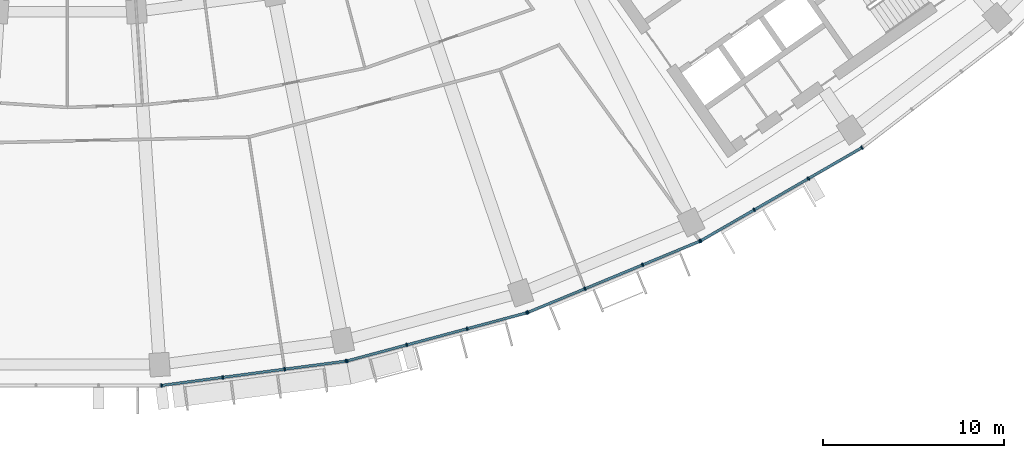
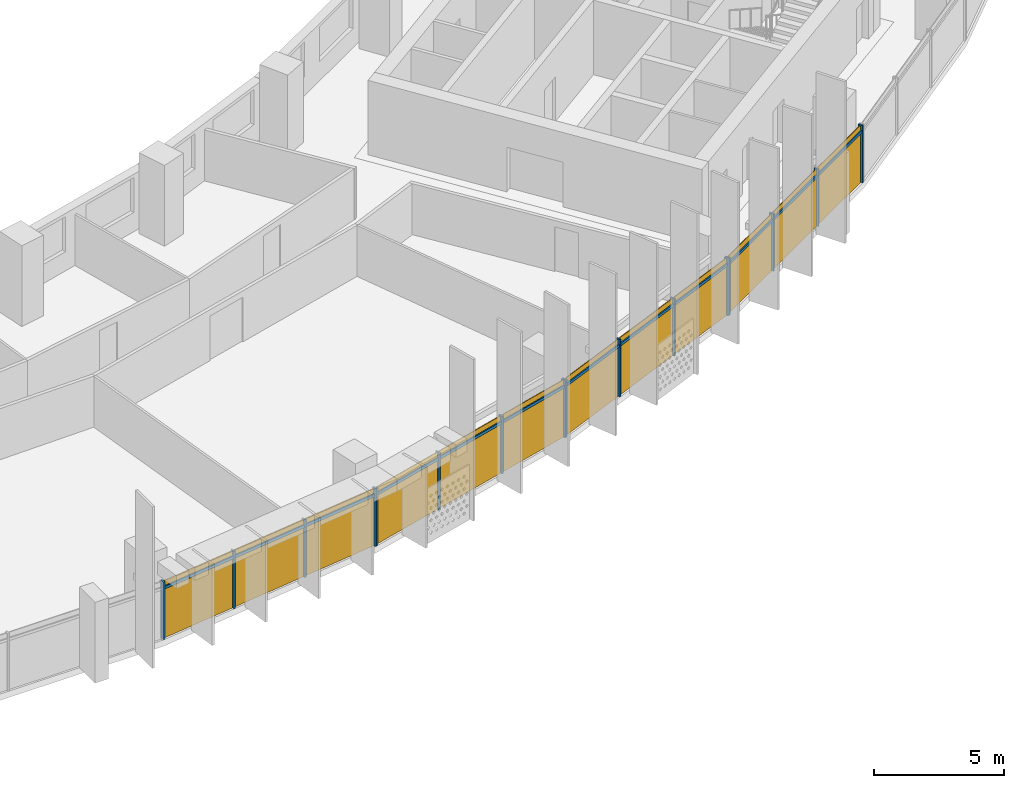
# One storey, part 21 of 27: 28 members, 4 curtain walls.
"""IFC4 building model written with IfcOpenShell, lengths in metres."""

from ifc_helpers import new_model, si_unit, direction, frame, origin, origin_2d, place, context, subcontext, project, spatial, rectangle, extrude, material, material_profile, profile_set, type_object, element, aggregate, save


model = new_model("IFC4")

# Units and contexts
model_context = context("Model", 3, precision=1e-05, world=origin(), true_north=direction((0.0, 1.0)))
body_context = subcontext(model_context, "Body", "Model", "MODEL_VIEW")
ifc_project = project(units=[si_unit("LENGTHUNIT", "METRE"), si_unit("AREAUNIT", "SQUARE_METRE"), si_unit("VOLUMEUNIT", "CUBIC_METRE"), si_unit("PLANEANGLEUNIT", "RADIAN"), si_unit("MASSUNIT", "GRAM", prefix="KILO")], contexts=[model_context])

# Member
ifc_material = material(Name="Aluminium 6063-T6 anodised", Category="aluminium")
ifc_material_profile_1 = material_profile(ifc_material, rectangle(XDim=0.199951171875, YDim=0.070068359375, at=origin_2d()))
ifc_profile_set_1 = profile_set([ifc_material_profile_1], Name="Aluminium 6063-T6 anodised")
member_type_1 = type_object("IfcMemberType", Name="Mullion 70 x 200 aluminium", PredefinedType="MULLION", material=ifc_profile_set_1)
site_placement = place(None, origin())
building_placement = place(site_placement, origin())
storey_placement = place(building_placement, frame((0.0, 0.0, 179.699951171875)))
member_1_placement = place(storey_placement, frame((5.1884765625, -78.72705078125, 0.0), z_axis=(0.0, 0.0, 1.0), x_axis=(-0.13052619222, 0.991444861374, 0.0)))
member_1 = element("IfcMember", 1, at=member_1_placement, type_object=member_type_1, Name="e-cw1-L42-out08/M00", PredefinedType="MULLION", context=body_context, shape_type="SweptSolid", body=[
    extrude(rectangle(XDim=0.199951171875, YDim=0.070068359375, at=origin_2d()), origin(), (0.0, 0.0, 1.0), 2.699951171875),
])

member_2_placement = place(storey_placement, frame((8.56884765625, -78.2822265625, 0.0), z_axis=(0.0, 0.0, 1.0), x_axis=(-0.13052619222, 0.991444861374, 0.0)))
member_2 = element("IfcMember", 2, at=member_2_placement, type_object=member_type_1, Name="e-cw1-L42-out08/M01", PredefinedType="MULLION", context=body_context, shape_type="SweptSolid", body=[
    extrude(rectangle(XDim=0.199951171875, YDim=0.070068359375, at=origin_2d()), origin(), (0.0, 0.0, 1.0), 2.699951171875),
])

member_3_placement = place(storey_placement, frame((11.98388671875, -77.83251953125, 0.0), z_axis=(0.0, 0.0, 1.0), x_axis=(-0.13052619222, 0.991444861374, 0.0)))
member_3 = element("IfcMember", 3, at=member_3_placement, type_object=member_type_1, Name="e-cw1-L42-out08/M02", PredefinedType="MULLION", context=body_context, shape_type="SweptSolid", body=[
    extrude(rectangle(XDim=0.199951171875, YDim=0.070068359375, at=origin_2d()), origin(), (0.0, 0.0, 1.0), 2.699951171875),
])

member_4_placement = place(storey_placement, frame((15.364501953125, -77.387451171875, 0.0), z_axis=(0.0, 0.0, 1.0), x_axis=(-0.13052619222, 0.991444861374, 0.0)))
member_4 = element("IfcMember", 4, at=member_4_placement, type_object=member_type_1, Name="e-cw1-L42-out08/M03", PredefinedType="MULLION", context=body_context, shape_type="SweptSolid", body=[
    extrude(rectangle(XDim=0.199951171875, YDim=0.070068359375, at=origin_2d()), origin(), (0.0, 0.0, 1.0), 2.699951171875),
])

member_5_placement = place(storey_placement, frame((15.420166015625, -77.37646484375, 0.0), z_axis=(0.0, 0.0, 1.0), x_axis=(-0.258819045103, 0.965925826289, 0.0)))
member_5 = element("IfcMember", 5, at=member_5_placement, type_object=member_type_1, Name="e-cw1-L42-out09/M00", PredefinedType="MULLION", context=body_context, shape_type="SweptSolid", body=[
    extrude(rectangle(XDim=0.199951171875, YDim=0.070068359375, at=origin_2d()), origin(), (0.0, 0.0, 1.0), 2.699951171875),
])

member_6_placement = place(storey_placement, frame((18.71337890625, -76.493896484375, 0.0), z_axis=(0.0, 0.0, 1.0), x_axis=(-0.258819045103, 0.965925826289, 0.0)))
member_6 = element("IfcMember", 6, at=member_6_placement, type_object=member_type_1, Name="e-cw1-L42-out09/M01", PredefinedType="MULLION", context=body_context, shape_type="SweptSolid", body=[
    extrude(rectangle(XDim=0.199951171875, YDim=0.070068359375, at=origin_2d()), origin(), (0.0, 0.0, 1.0), 2.699951171875),
])

member_7_placement = place(storey_placement, frame((22.04052734375, -75.602294921875, 0.0), z_axis=(0.0, 0.0, 1.0), x_axis=(-0.258819045103, 0.965925826289, 0.0)))
member_7 = element("IfcMember", 7, at=member_7_placement, type_object=member_type_1, Name="e-cw1-L42-out09/M02", PredefinedType="MULLION", context=body_context, shape_type="SweptSolid", body=[
    extrude(rectangle(XDim=0.199951171875, YDim=0.070068359375, at=origin_2d()), origin(), (0.0, 0.0, 1.0), 2.699951171875),
])

member_8_placement = place(storey_placement, frame((25.333984375, -74.719970703125, 0.0), z_axis=(0.0, 0.0, 1.0), x_axis=(-0.258819045103, 0.965925826289, 0.0)))
member_8 = element("IfcMember", 8, at=member_8_placement, type_object=member_type_1, Name="e-cw1-L42-out09/M03", PredefinedType="MULLION", context=body_context, shape_type="SweptSolid", body=[
    extrude(rectangle(XDim=0.199951171875, YDim=0.070068359375, at=origin_2d()), origin(), (0.0, 0.0, 1.0), 2.699951171875),
])

member_9_placement = place(storey_placement, frame((25.3876953125, -74.70166015625, 0.0), z_axis=(0.0, 0.0, 1.0), x_axis=(-0.382683432365, 0.923879532511, 0.0)))
member_9 = element("IfcMember", 9, at=member_9_placement, type_object=member_type_1, Name="e-cw1-L42-out10/M00", PredefinedType="MULLION", context=body_context, shape_type="SweptSolid", body=[
    extrude(rectangle(XDim=0.199951171875, YDim=0.070068359375, at=origin_2d()), origin(), (0.0, 0.0, 1.0), 2.699951171875),
])

member_10_placement = place(storey_placement, frame((28.537841796875, -73.39697265625, 0.0), z_axis=(0.0, 0.0, 1.0), x_axis=(-0.382683432365, 0.923879532511, 0.0)))
member_10 = element("IfcMember", 10, at=member_10_placement, type_object=member_type_1, Name="e-cw1-L42-out10/M01", PredefinedType="MULLION", context=body_context, shape_type="SweptSolid", body=[
    extrude(rectangle(XDim=0.199951171875, YDim=0.070068359375, at=origin_2d()), origin(), (0.0, 0.0, 1.0), 2.699951171875),
])

member_11_placement = place(storey_placement, frame((31.72021484375, -72.078857421875, 0.0), z_axis=(0.0, 0.0, 1.0), x_axis=(-0.382683432365, 0.923879532511, 0.0)))
member_11 = element("IfcMember", 11, at=member_11_placement, type_object=member_type_1, Name="e-cw1-L42-out10/M02", PredefinedType="MULLION", context=body_context, shape_type="SweptSolid", body=[
    extrude(rectangle(XDim=0.199951171875, YDim=0.070068359375, at=origin_2d()), origin(), (0.0, 0.0, 1.0), 2.699951171875),
])

member_12_placement = place(storey_placement, frame((34.8701171875, -70.77392578125, 0.0), z_axis=(0.0, 0.0, 1.0), x_axis=(-0.382683432365, 0.923879532511, 0.0)))
member_12 = element("IfcMember", 12, at=member_12_placement, type_object=member_type_1, Name="e-cw1-L42-out10/M03", PredefinedType="MULLION", context=body_context, shape_type="SweptSolid", body=[
    extrude(rectangle(XDim=0.199951171875, YDim=0.070068359375, at=origin_2d()), origin(), (0.0, 0.0, 1.0), 2.699951171875),
])

member_13_placement = place(storey_placement, frame((34.921142578125, -70.748779296875, 0.0), z_axis=(0.0, 0.0, 1.0), x_axis=(-0.5, 0.866025403784, 0.0)))
member_13 = element("IfcMember", 13, at=member_13_placement, type_object=member_type_1, Name="e-cw1-L42-out11/M00", PredefinedType="MULLION", context=body_context, shape_type="SweptSolid", body=[
    extrude(rectangle(XDim=0.199951171875, YDim=0.070068359375, at=origin_2d()), origin(), (0.0, 0.0, 1.0), 2.699951171875),
])

member_14_placement = place(storey_placement, frame((37.873779296875, -69.0439453125, 0.0), z_axis=(0.0, 0.0, 1.0), x_axis=(-0.5, 0.866025403784, 0.0)))
member_14 = element("IfcMember", 14, at=member_14_placement, type_object=member_type_1, Name="e-cw1-L42-out11/M01", PredefinedType="MULLION", context=body_context, shape_type="SweptSolid", body=[
    extrude(rectangle(XDim=0.199951171875, YDim=0.070068359375, at=origin_2d()), origin(), (0.0, 0.0, 1.0), 2.699951171875),
])

member_15_placement = place(storey_placement, frame((40.85693359375, -67.32177734375, 0.0), z_axis=(0.0, 0.0, 1.0), x_axis=(-0.5, 0.866025403784, 0.0)))
member_15 = element("IfcMember", 15, at=member_15_placement, type_object=member_type_1, Name="e-cw1-L42-out11/M02", PredefinedType="MULLION", context=body_context, shape_type="SweptSolid", body=[
    extrude(rectangle(XDim=0.199951171875, YDim=0.070068359375, at=origin_2d()), origin(), (0.0, 0.0, 1.0), 2.699951171875),
])

member_16_placement = place(storey_placement, frame((43.809814453125, -65.616943359375, 0.0), z_axis=(0.0, 0.0, 1.0), x_axis=(-0.5, 0.866025403784, 0.0)))
member_16 = element("IfcMember", 16, at=member_16_placement, type_object=member_type_1, Name="e-cw1-L42-out11/M03", PredefinedType="MULLION", context=body_context, shape_type="SweptSolid", body=[
    extrude(rectangle(XDim=0.199951171875, YDim=0.070068359375, at=origin_2d()), origin(), (0.0, 0.0, 1.0), 2.699951171875),
])

ifc_material_profile_2 = material_profile(ifc_material, rectangle(XDim=0.139892578125, YDim=0.1201171875, at=origin_2d()))
ifc_profile_set_2 = profile_set([ifc_material_profile_2], Name="Aluminium 6063-T6 anodised")
member_type_2 = type_object("IfcMemberType", Name="Transom 120 x 140 aluminium", PredefinedType="USERDEFINED", material=ifc_profile_set_2)
member_17_placement = place(storey_placement, frame((5.22314453125, -78.72265625, 2.400146484375), z_axis=(0.991439857731, 0.130564193033, 0.0), x_axis=(-0.130564193033, 0.991439857731, 0.0)))
member_17 = element("IfcMember", 17, at=member_17_placement, type_object=member_type_2, Name="e-cw1-L42-out08/T00", ObjectType="TRANSOM", PredefinedType="USERDEFINED", context=body_context, shape_type="SweptSolid", body=[
    extrude(rectangle(XDim=0.139892578125, YDim=0.1201171875, at=origin_2d()), origin(), (0.0, 0.0, 1.0), 3.339599609375),
])

member_18_placement = place(storey_placement, frame((8.603515625, -78.277587890625, 2.400146484375), z_axis=(0.991446413845, 0.130514399487, 0.0), x_axis=(-0.130514399487, 0.991446413845, 0.0)))
member_18 = element("IfcMember", 18, at=member_18_placement, type_object=member_type_2, Name="e-cw1-L42-out08/T01", ObjectType="TRANSOM", PredefinedType="USERDEFINED", context=body_context, shape_type="SweptSolid", body=[
    extrude(rectangle(XDim=0.139892578125, YDim=0.1201171875, at=origin_2d()), origin(), (0.0, 0.0, 1.0), 3.37451171875),
])

member_19_placement = place(storey_placement, frame((12.018798828125, -77.827880859375, 2.400146484375), z_axis=(0.991448073325, 0.130501792706, 0.0), x_axis=(-0.130501792706, 0.991448073325, 0.0)))
member_19 = element("IfcMember", 19, at=member_19_placement, type_object=member_type_2, Name="e-cw1-L42-out08/T02", ObjectType="TRANSOM", PredefinedType="USERDEFINED", context=body_context, shape_type="SweptSolid", body=[
    extrude(rectangle(XDim=0.139892578125, YDim=0.1201171875, at=origin_2d()), origin(), (0.0, 0.0, 1.0), 3.33935546875),
])

member_20_placement = place(storey_placement, frame((15.453857421875, -77.367431640625, 2.400146484375), z_axis=(0.96591509168, 0.258859103886, 0.0), x_axis=(-0.258859103886, 0.96591509168, 0.0)))
member_20 = element("IfcMember", 20, at=member_20_placement, type_object=member_type_2, Name="e-cw1-L42-out09/T00", ObjectType="TRANSOM", PredefinedType="USERDEFINED", context=body_context, shape_type="SweptSolid", body=[
    extrude(rectangle(XDim=0.139892578125, YDim=0.1201171875, at=origin_2d()), origin(), (0.0, 0.0, 1.0), 3.339599609375),
])

member_21_placement = place(storey_placement, frame((18.747314453125, -76.48486328125, 2.400146484375), z_axis=(0.965932873966, 0.258792741381, 0.0), x_axis=(-0.258792741381, 0.965932873966, 0.0)))
member_21 = element("IfcMember", 21, at=member_21_placement, type_object=member_type_2, Name="e-cw1-L42-out09/T01", ObjectType="TRANSOM", PredefinedType="USERDEFINED", context=body_context, shape_type="SweptSolid", body=[
    extrude(rectangle(XDim=0.139892578125, YDim=0.1201171875, at=origin_2d()), origin(), (0.0, 0.0, 1.0), 3.37451171875),
])

member_22_placement = place(storey_placement, frame((22.074462890625, -75.59326171875, 2.400146484375), z_axis=(0.965933368091, 0.258790897074, 0.0), x_axis=(-0.258790897074, 0.965933368091, 0.0)))
member_22 = element("IfcMember", 22, at=member_22_placement, type_object=member_type_2, Name="e-cw1-L42-out09/T02", ObjectType="TRANSOM", PredefinedType="USERDEFINED", context=body_context, shape_type="SweptSolid", body=[
    extrude(rectangle(XDim=0.139892578125, YDim=0.1201171875, at=origin_2d()), origin(), (0.0, 0.0, 1.0), 3.339599609375),
])

member_23_placement = place(storey_placement, frame((25.420166015625, -74.688232421875, 2.400146484375), z_axis=(0.923890305385, 0.382657423311, 0.0), x_axis=(-0.382657423311, 0.923890305385, 0.0)))
member_23 = element("IfcMember", 23, at=member_23_placement, type_object=member_type_2, Name="e-cw1-L42-out10/T00", ObjectType="TRANSOM", PredefinedType="USERDEFINED", context=body_context, shape_type="SweptSolid", body=[
    extrude(rectangle(XDim=0.139892578125, YDim=0.1201171875, at=origin_2d()), origin(), (0.0, 0.0, 1.0), 3.33935546875),
])

member_24_placement = place(storey_placement, frame((28.570068359375, -73.383544921875, 2.400146484375), z_axis=(0.923866926753, 0.382713863941, 0.0), x_axis=(-0.382713863941, 0.923866926753, 0.0)))
member_24 = element("IfcMember", 24, at=member_24_placement, type_object=member_type_2, Name="e-cw1-L42-out10/T01", ObjectType="TRANSOM", PredefinedType="USERDEFINED", context=body_context, shape_type="SweptSolid", body=[
    extrude(rectangle(XDim=0.139892578125, YDim=0.1201171875, at=origin_2d()), origin(), (0.0, 0.0, 1.0), 3.37451171875),
])

member_25_placement = place(storey_placement, frame((31.75244140625, -72.0654296875, 2.400146484375), z_axis=(0.923875164544, 0.382693977401, 0.0), x_axis=(-0.382693977401, 0.923875164544, 0.0)))
member_25 = element("IfcMember", 25, at=member_25_placement, type_object=member_type_2, Name="e-cw1-L42-out10/T02", ObjectType="TRANSOM", PredefinedType="USERDEFINED", context=body_context, shape_type="SweptSolid", body=[
    extrude(rectangle(XDim=0.139892578125, YDim=0.1201171875, at=origin_2d()), origin(), (0.0, 0.0, 1.0), 3.339599609375),
])

member_26_placement = place(storey_placement, frame((34.951416015625, -70.7314453125, 2.400146484375), z_axis=(0.866002968352, 0.500038857296, 0.0), x_axis=(-0.500038857296, 0.866002968352, 0.0)))
member_26 = element("IfcMember", 26, at=member_26_placement, type_object=member_type_2, Name="e-cw1-L42-out11/T00", ObjectType="TRANSOM", PredefinedType="USERDEFINED", context=body_context, shape_type="SweptSolid", body=[
    extrude(rectangle(XDim=0.139892578125, YDim=0.1201171875, at=origin_2d()), origin(), (0.0, 0.0, 1.0), 3.339599609375),
])

member_27_placement = place(storey_placement, frame((37.904296875, -69.026611328125, 2.400146484375), z_axis=(0.86602172966, 0.500006363716, 0.0), x_axis=(-0.500006363716, 0.86602172966, 0.0)))
member_27 = element("IfcMember", 27, at=member_27_placement, type_object=member_type_2, Name="e-cw1-L42-out11/T01", ObjectType="TRANSOM", PredefinedType="USERDEFINED", context=body_context, shape_type="SweptSolid", body=[
    extrude(rectangle(XDim=0.139892578125, YDim=0.1201171875, at=origin_2d()), origin(), (0.0, 0.0, 1.0), 3.37451171875),
])

member_28_placement = place(storey_placement, frame((40.88720703125, -67.30419921875, 2.400146484375), z_axis=(0.866052898888, 0.49995237406, 0.0), x_axis=(-0.49995237406, 0.866052898888, 0.0)))
member_28 = element("IfcMember", 28, at=member_28_placement, type_object=member_type_2, Name="e-cw1-L42-out11/T02", ObjectType="TRANSOM", PredefinedType="USERDEFINED", context=body_context, shape_type="SweptSolid", body=[
    extrude(rectangle(XDim=0.139892578125, YDim=0.1201171875, at=origin_2d()), origin(), (0.0, 0.0, 1.0), 3.339599609375),
])

# Site, building, storey
site = spatial("IfcSite", under=ifc_project, at=site_placement, CompositionType="ELEMENT")
building = spatial("IfcBuilding", under=site, at=building_placement, Name="Qamariyya Broadcast Tower", CompositionType="ELEMENT")
storey = spatial("IfcBuildingStorey", under=building, at=storey_placement, Name="L42", CompositionType="ELEMENT", Elevation=179.699951171875)

# Curtain wall
curtain_wall_type = type_object("IfcCurtainWallType", Name="Unitised curtain wall, anodised aluminium", PredefinedType="NOTDEFINED", material=ifc_material)
curtain_wall_1_placement = place(storey_placement, origin())
curtain_wall_1 = element("IfcCurtainWall", 29, at=curtain_wall_1_placement, inside=storey, type_object=curtain_wall_type, Name="e-cw1-L42-out08", PredefinedType="NOTDEFINED", context=body_context, shape_type="SweptSolid", body=[
    extrude(rectangle(XDim=3.339599609375, YDim=0.031982421875, at=origin_2d()), frame((6.878662109375, -78.504638671875, 0.0), x_axis=(0.991444240905, 0.130530905064, 0.0)), (0.0, 0.0, 1.0), 2.340087890625),
    extrude(rectangle(XDim=3.339599609375, YDim=0.031982421875, at=origin_2d()), frame((6.878662109375, -78.504638671875, 2.4599609375), x_axis=(0.991444240905, 0.130530905064, 0.0)), (0.0, 0.0, 1.0), 0.239990234375),
    extrude(rectangle(XDim=3.37451171875, YDim=0.031982421875, at=origin_2d()), frame((10.2763671875, -78.05712890625, 0.0), x_axis=(0.991444240905, 0.130530905064, 0.0)), (0.0, 0.0, 1.0), 2.340087890625),
    extrude(rectangle(XDim=3.37451171875, YDim=0.031982421875, at=origin_2d()), frame((10.2763671875, -78.05712890625, 2.4599609375), x_axis=(0.991444240905, 0.130530905064, 0.0)), (0.0, 0.0, 1.0), 0.239990234375),
    extrude(rectangle(XDim=3.339599609375, YDim=0.031982421875, at=origin_2d()), frame((13.67431640625, -77.60986328125, 0.0), x_axis=(0.991444240905, 0.130530905064, 0.0)), (0.0, 0.0, 1.0), 2.340087890625),
    extrude(rectangle(XDim=3.339599609375, YDim=0.031982421875, at=origin_2d()), frame((13.67431640625, -77.60986328125, 2.4599609375), x_axis=(0.991444240905, 0.130530905064, 0.0)), (0.0, 0.0, 1.0), 0.239990234375),
])

aggregate(curtain_wall_1, [member_1, member_2, member_3, member_4, member_17, member_18, member_19])

curtain_wall_2_placement = place(storey_placement, origin())
curtain_wall_2 = element("IfcCurtainWall", 30, at=curtain_wall_2_placement, inside=storey, type_object=curtain_wall_type, Name="e-cw1-L42-out09", PredefinedType="NOTDEFINED", context=body_context, shape_type="SweptSolid", body=[
    extrude(rectangle(XDim=3.339599609375, YDim=0.031982421875, at=origin_2d()), frame((17.066650390625, -76.935302734375, 0.0), x_axis=(0.965926433062, 0.258816780584, 0.0)), (0.0, 0.0, 1.0), 2.340087890625),
    extrude(rectangle(XDim=3.339599609375, YDim=0.031982421875, at=origin_2d()), frame((17.066650390625, -76.935302734375, 2.4599609375), x_axis=(0.965926433062, 0.258816780584, 0.0)), (0.0, 0.0, 1.0), 0.239990234375),
    extrude(rectangle(XDim=3.37451171875, YDim=0.031982421875, at=origin_2d()), frame((20.376953125, -76.04833984375, 0.0), x_axis=(0.965926433062, 0.258816780584, 0.0)), (0.0, 0.0, 1.0), 2.340087890625),
    extrude(rectangle(XDim=3.37451171875, YDim=0.031982421875, at=origin_2d()), frame((20.376953125, -76.04833984375, 2.4599609375), x_axis=(0.965926433062, 0.258816780584, 0.0)), (0.0, 0.0, 1.0), 0.239990234375),
    extrude(rectangle(XDim=3.339599609375, YDim=0.031982421875, at=origin_2d()), frame((23.6875, -75.1611328125, 0.0), x_axis=(0.965926433062, 0.258816780584, 0.0)), (0.0, 0.0, 1.0), 2.340087890625),
    extrude(rectangle(XDim=3.339599609375, YDim=0.031982421875, at=origin_2d()), frame((23.6875, -75.1611328125, 2.4599609375), x_axis=(0.965926433062, 0.258816780584, 0.0)), (0.0, 0.0, 1.0), 0.239990234375),
])

aggregate(curtain_wall_2, [member_5, member_6, member_7, member_8, member_20, member_21, member_22])

curtain_wall_3_placement = place(storey_placement, origin())
curtain_wall_3 = element("IfcCurtainWall", 31, at=curtain_wall_3_placement, inside=storey, type_object=curtain_wall_type, Name="e-cw1-L42-out10", PredefinedType="NOTDEFINED", context=body_context, shape_type="SweptSolid", body=[
    extrude(rectangle(XDim=3.339599609375, YDim=0.031982421875, at=origin_2d()), frame((26.962890625, -74.04931640625, 0.0), x_axis=(0.923878040314, 0.382687034829, 0.0)), (0.0, 0.0, 1.0), 2.340087890625),
    extrude(rectangle(XDim=3.339599609375, YDim=0.031982421875, at=origin_2d()), frame((26.962890625, -74.04931640625, 2.4599609375), x_axis=(0.923878040314, 0.382687034829, 0.0)), (0.0, 0.0, 1.0), 0.239990234375),
    extrude(rectangle(XDim=3.37451171875, YDim=0.031982421875, at=origin_2d()), frame((30.12890625, -72.73779296875, 0.0), x_axis=(0.923878040314, 0.382687034829, 0.0)), (0.0, 0.0, 1.0), 2.340087890625),
    extrude(rectangle(XDim=3.37451171875, YDim=0.031982421875, at=origin_2d()), frame((30.12890625, -72.73779296875, 2.4599609375), x_axis=(0.923878040314, 0.382687034829, 0.0)), (0.0, 0.0, 1.0), 0.239990234375),
    extrude(rectangle(XDim=3.339599609375, YDim=0.031982421875, at=origin_2d()), frame((33.295166015625, -71.42626953125, 0.0), x_axis=(0.923878040314, 0.382687034829, 0.0)), (0.0, 0.0, 1.0), 2.340087890625),
    extrude(rectangle(XDim=3.339599609375, YDim=0.031982421875, at=origin_2d()), frame((33.295166015625, -71.42626953125, 2.4599609375), x_axis=(0.923878040314, 0.382687034829, 0.0)), (0.0, 0.0, 1.0), 0.239990234375),
])

aggregate(curtain_wall_3, [member_9, member_10, member_11, member_12, member_23, member_24, member_25])

curtain_wall_4_placement = place(storey_placement, origin())
curtain_wall_4 = element("IfcCurtainWall", 32, at=curtain_wall_4_placement, inside=storey, type_object=curtain_wall_type, Name="e-cw1-L42-out11", PredefinedType="NOTDEFINED", context=body_context, shape_type="SweptSolid", body=[
    extrude(rectangle(XDim=3.339599609375, YDim=0.031982421875, at=origin_2d()), frame((36.3974609375, -69.896484375, 0.0), x_axis=(0.866028999376, 0.499993772201, 0.0)), (0.0, 0.0, 1.0), 2.340087890625),
    extrude(rectangle(XDim=3.339599609375, YDim=0.031982421875, at=origin_2d()), frame((36.3974609375, -69.896484375, 2.4599609375), x_axis=(0.866028999376, 0.499993772201, 0.0)), (0.0, 0.0, 1.0), 0.239990234375),
    extrude(rectangle(XDim=3.37451171875, YDim=0.031982421875, at=origin_2d()), frame((39.365478515625, -68.18310546875, 0.0), x_axis=(0.866028999376, 0.499993772201, 0.0)), (0.0, 0.0, 1.0), 2.340087890625),
    extrude(rectangle(XDim=3.37451171875, YDim=0.031982421875, at=origin_2d()), frame((39.365478515625, -68.18310546875, 2.4599609375), x_axis=(0.866028999376, 0.499993772201, 0.0)), (0.0, 0.0, 1.0), 0.239990234375),
    extrude(rectangle(XDim=3.339599609375, YDim=0.031982421875, at=origin_2d()), frame((42.33349609375, -66.469482421875, 0.0), x_axis=(0.866028999376, 0.499993772201, 0.0)), (0.0, 0.0, 1.0), 2.340087890625),
    extrude(rectangle(XDim=3.339599609375, YDim=0.031982421875, at=origin_2d()), frame((42.33349609375, -66.469482421875, 2.4599609375), x_axis=(0.866028999376, 0.499993772201, 0.0)), (0.0, 0.0, 1.0), 0.239990234375),
])

aggregate(curtain_wall_4, [member_13, member_14, member_15, member_16, member_26, member_27, member_28])

save(model, "model.ifc")
